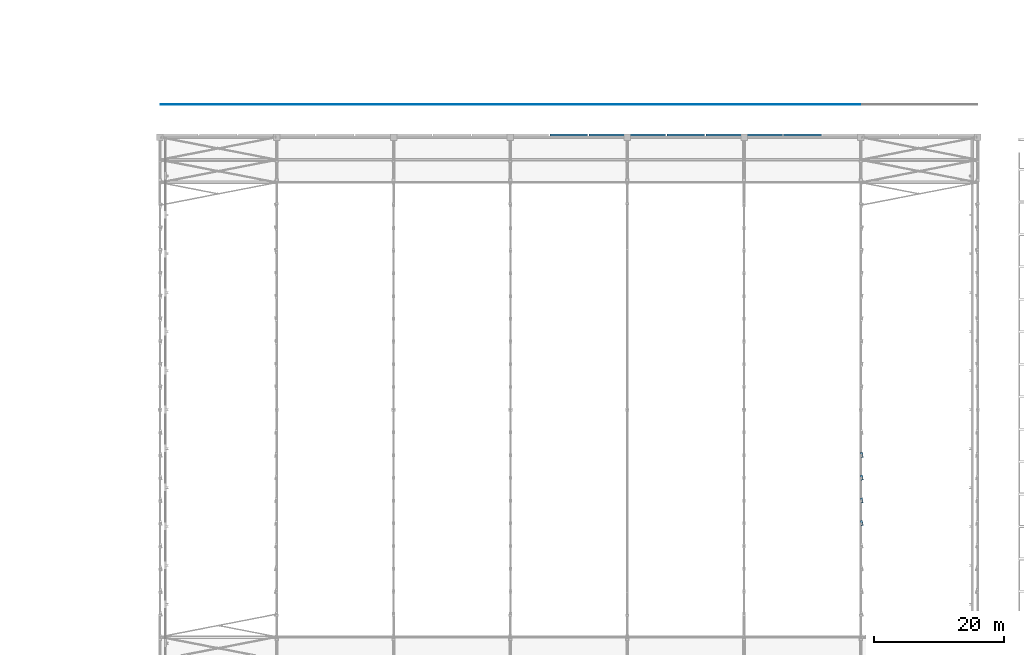
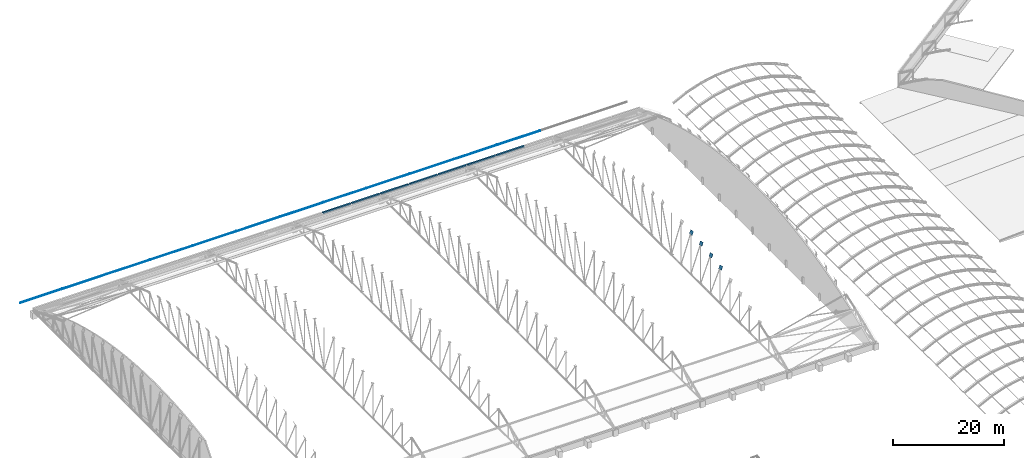
# One storey, part 140 of 196: 23 discrete accessories.
"""IFC4 building model written with IfcOpenShell, lengths in metres."""

import ifcopenshell
import ifcopenshell.guid

model = None  # the IFC model being written
_history = None  # IfcOwnerHistory: only IFC2X3 demands one
_inside = {}  # id of a spatial element -> (the spatial element, [elements in it])
_under = {}  # id of a project, library or spatial element -> (it, [spatial elements below it])
_declared = {}  # id of a project -> (the project, [libraries it declares])
_typed = {}  # id of a type object -> (the type object, [elements of that type])
_made_of = {}  # id of a material, layer set ... -> (it, [elements and type objects made of it])


def new_model(schema):
    """Start an empty IFC model of exactly this schema.

    Asked for "IFC4X3", IfcOpenShell would pick the latest addendum, in which some entities
    have other attributes; the version numbers below select the first issue.
    IFC2X3 requires an IfcOwnerHistory on every rooted entity: one is made here for all.
    """
    global model, _history
    if schema == "IFC4X3":
        model = ifcopenshell.file(schema_version=(4, 3, 0, 0))
    else:
        model = ifcopenshell.file(schema=schema)
    _inside.clear()
    _under.clear()
    _declared.clear()
    _typed.clear()
    _made_of.clear()
    _history = None
    if model.schema == "IFC2X3":
        org = make("IfcOrganization", Name="unknown")
        user = make(
            "IfcPersonAndOrganization",
            ThePerson=make("IfcPerson", FamilyName="unknown"),
            TheOrganization=org,
        )
        app = make(
            "IfcApplication",
            ApplicationDeveloper=org,
            Version="unknown",
            ApplicationFullName="unknown",
            ApplicationIdentifier="unknown",
        )
        _history = make(
            "IfcOwnerHistory",
            OwningUser=user,
            OwningApplication=app,
            ChangeAction="ADDED",
            CreationDate=0,
        )
    return model


def make(cls, **values):
    """One entity of the class cls with the attributes given. An attribute that is None is left unset."""
    return model.create_entity(
        cls, **{name: value for name, value in values.items() if value is not None}
    )


def rooted(cls, **values):
    """An entity with a GlobalId (a new one), such as an element, a storey or a relation."""
    return make(cls, GlobalId=ifcopenshell.guid.new(), OwnerHistory=_history, **values)


def si_unit(unit_type, name, prefix=None):
    """IfcSIUnit, for example si_unit("LENGTHUNIT", "METRE", prefix="MILLI")."""
    return make("IfcSIUnit", UnitType=unit_type, Prefix=prefix, Name=name)


def assignment(units):
    """IfcUnitAssignment: the units of a project."""
    return None if units is None else make("IfcUnitAssignment", Units=units)


def point(xyz):
    """IfcCartesianPoint."""
    return None if xyz is None else make("IfcCartesianPoint", Coordinates=xyz)


def direction(xyz):
    """IfcDirection."""
    return None if xyz is None else make("IfcDirection", DirectionRatios=xyz)


def frame(location, z_axis=None, x_axis=None):
    """IfcAxis2Placement3D, a coordinate frame: its origin and axes. An axis left out is left unset."""
    return make(
        "IfcAxis2Placement3D",
        Location=point(location),
        Axis=direction(z_axis),
        RefDirection=direction(x_axis),
    )


def frame_2d(location, x_axis=None):
    """IfcAxis2Placement2D, a coordinate frame in the plane: its origin and x axis."""
    return make(
        "IfcAxis2Placement2D", Location=point(location), RefDirection=direction(x_axis)
    )


def origin():
    """The frame at (0, 0, 0) with its axes left unset."""
    return frame((0.0, 0.0, 0.0))


def origin_2d():
    """The frame at (0, 0) in the plane with its x axis left unset."""
    return frame_2d((0.0, 0.0))


def place(relative_to, where):
    """IfcLocalPlacement: puts the frame where relative to a parent placement (None: the world)."""
    return make(
        "IfcLocalPlacement", PlacementRelTo=relative_to, RelativePlacement=where
    )


def context(
    kind, dimensions, precision=None, world=None, true_north=None, identifier=None
):
    """IfcGeometricRepresentationContext, for example the 3D "Model" context."""
    return make(
        "IfcGeometricRepresentationContext",
        ContextIdentifier=identifier,
        ContextType=kind,
        CoordinateSpaceDimension=dimensions,
        Precision=precision,
        WorldCoordinateSystem=world,
        TrueNorth=true_north,
    )


def subcontext(parent, identifier, kind, view, scale=None):
    """IfcGeometricRepresentationSubContext, for example "Body" below "Model"."""
    return make(
        "IfcGeometricRepresentationSubContext",
        ContextIdentifier=identifier,
        ContextType=kind,
        ParentContext=parent,
        TargetScale=scale,
        TargetView=view,
    )


def project(units=None, contexts=None):
    """IfcProject with its units and contexts."""
    return rooted(
        "IfcProject",
        Name="project",
        RepresentationContexts=contexts,
        UnitsInContext=assignment(units),
    )


def spatial(cls, under=None, at=None, **own):
    """A site, building, storey or space (cls), placed at a placement, below another one or the project."""
    s = rooted(cls, ObjectPlacement=at, **own)
    if under is not None:
        _under.setdefault(under.id(), (under, []))[1].append(s)
    return s


def polyline(points):
    """IfcPolyline through the points."""
    return make("IfcPolyline", Points=[point(p) for p in points])


def profile(cls, at=None, kind="AREA", **sizes):
    """A parametric profile (cls). Its sizes go by their IFC names, for example OverallWidth=200.0."""
    return make(cls, ProfileType=kind, Position=at, **sizes)


def rectangle(**sizes):
    """IfcRectangleProfileDef."""
    return profile("IfcRectangleProfileDef", **sizes)


def outline(outer, holes=None, kind="AREA"):
    """IfcArbitraryClosedProfileDef: a profile drawn as a closed curve; with holes, ...WithVoids."""
    if holes is None:
        return make("IfcArbitraryClosedProfileDef", ProfileType=kind, OuterCurve=outer)
    return make(
        "IfcArbitraryProfileDefWithVoids",
        ProfileType=kind,
        OuterCurve=outer,
        InnerCurves=holes,
    )


def extrude(swept, where, along, depth):
    """IfcExtrudedAreaSolid: the profile swept, set in the frame where, extruded along a direction by depth."""
    return make(
        "IfcExtrudedAreaSolid",
        SweptArea=swept,
        Position=where,
        ExtrudedDirection=direction(along),
        Depth=depth,
    )


def shape(context_of_items, identifier, shape_type, items):
    """IfcShapeRepresentation: the items that make up one representation, for example the "Body"."""
    return make(
        "IfcShapeRepresentation",
        ContextOfItems=context_of_items,
        RepresentationIdentifier=identifier,
        RepresentationType=shape_type,
        Items=items,
    )


def material(Name=None, Category=None):
    """IfcMaterial."""
    return make("IfcMaterial", Name=Name, Category=Category)


def layer(
    of_material, thickness, ventilated=None, Name=None, Category=None, Priority=None
):
    """IfcMaterialLayer: one layer of a wall or slab, of a material (None: an air gap)."""
    return make(
        "IfcMaterialLayer",
        Material=of_material,
        LayerThickness=thickness,
        IsVentilated=ventilated,
        Name=Name,
        Category=Category,
        Priority=Priority,
    )


def layer_set(layers, Name=None):
    """IfcMaterialLayerSet."""
    return make("IfcMaterialLayerSet", MaterialLayers=layers, LayerSetName=Name)


def made_of(thing, what):
    """Note that an element or type object is made of a material, layer set ...; save() writes the relation."""
    if what is not None:
        _made_of.setdefault(what.id(), (what, []))[1].append(thing)
    return thing


def type_object(cls, material=None, **own):
    """A type object (cls), such as IfcWallType, which elements share."""
    return made_of(rooted(cls, **own), material)


def element(
    cls,
    number,
    at=None,
    inside=None,
    cuts=None,
    type_object=None,
    material=None,
    context=None,
    identifier="Body",
    shape_type=None,
    held_by="IfcProductDefinitionShape",
    body=None,
    shapes=None,
    **own,
):
    """One element of the class cls, such as IfcWall. Its Tag is "e" and its number.

    at: its placement. inside: the storey or other place that contains it. cuts: it is an
    opening in that element (IfcRelVoidsElement). A single representation is given by context,
    identifier, shape_type and body (its items); several are given by shapes. held_by: the class
    of the entity that holds the representations. save() writes the other relations.
    """
    e = rooted(cls, Tag="e%d" % number, ObjectPlacement=at, **own)
    if body is not None:
        shapes = [shape(context, identifier, shape_type, body)]
    if shapes is not None:
        e.Representation = make(held_by, Representations=shapes)
    if inside is not None:
        _inside.setdefault(inside.id(), (inside, []))[1].append(e)
    if cuts is not None:
        rooted(
            "IfcRelVoidsElement", RelatingBuildingElement=cuts, RelatedOpeningElement=e
        )
    if type_object is not None:
        _typed.setdefault(type_object.id(), (type_object, []))[1].append(e)
    return made_of(e, material)


def aggregate(whole, parts):
    """IfcRelAggregates: a whole, such as a stair, and the parts it consists of."""
    return rooted("IfcRelAggregates", RelatingObject=whole, RelatedObjects=parts)


def save(model, path):
    """Write the relations noted so far, then the file.

    IfcRelAggregates (storeys below a building ...), IfcRelContainedInSpatialStructure (elements
    in a storey), IfcRelDefinesByType, IfcRelAssociatesMaterial and IfcRelDeclares: one each for
    every whole, place, type object, material and project.
    """
    for whole, parts in _under.values():
        aggregate(whole, parts)
    for where, things in _inside.values():
        rooted(
            "IfcRelContainedInSpatialStructure",
            RelatedElements=things,
            RelatingStructure=where,
        )
    for kind, things in _typed.values():
        rooted("IfcRelDefinesByType", RelatedObjects=things, RelatingType=kind)
    for what, things in _made_of.values():
        rooted("IfcRelAssociatesMaterial", RelatedObjects=things, RelatingMaterial=what)
    for by, libraries in _declared.values():
        rooted("IfcRelDeclares", RelatingContext=by, RelatedDefinitions=libraries)
    model.write(path)


model = new_model("IFC4")

# Units and contexts
model_context = context("Model", 3, precision=1e-05, world=origin(), true_north=direction((0.0, 1.0)))
body_context = subcontext(model_context, "Body", "Model", "MODEL_VIEW")
ifc_project = project(units=[si_unit("LENGTHUNIT", "METRE"), si_unit("AREAUNIT", "SQUARE_METRE"), si_unit("VOLUMEUNIT", "CUBIC_METRE"), si_unit("PLANEANGLEUNIT", "RADIAN"), si_unit("MASSUNIT", "GRAM", prefix="KILO")], contexts=[model_context])

# Site, building, storey
site_placement = place(None, origin())
site = spatial("IfcSite", under=ifc_project, at=site_placement, CompositionType="ELEMENT")
building_placement = place(site_placement, origin())
building = spatial("IfcBuilding", under=site, at=building_placement, Name="Okhra Congress Centre", CompositionType="ELEMENT")
storey_placement = place(building_placement, frame((0.0, 0.0, 12.0)))
storey = spatial("IfcBuildingStorey", under=building, at=storey_placement, Name="L02", CompositionType="ELEMENT", Elevation=12.0)

# Discrete accessories
ifc_material_1 = material(Name="Steel S355J2", Category="steel")
ifc_layer = layer(ifc_material_1, 0.02001953125)
ifc_layer_set = layer_set([ifc_layer], Name="Brace end connection plate 20 mm S355")
discrete_accessory_type_1 = type_object("IfcDiscreteAccessoryType", Name="Brace end connection plate 20 mm S355", PredefinedType="BRACKET", material=ifc_layer_set)
discrete_accessory_1_placement = place(storey_placement, frame((136.150390625, 156.531494140625, 9.16259765625), z_axis=(-0.891172137936, -0.18311756259, 0.415066475203), x_axis=(0.20127429835, -0.979534918634, 0.0)))
element("IfcDiscreteAccessory", 1, at=discrete_accessory_1_placement, inside=storey, type_object=discrete_accessory_type_1, Name="Brace end connection plate", PredefinedType="BRACKET", context=body_context, shape_type="SweptSolid", body=[
    extrude(rectangle(XDim=0.7919921875, YDim=0.7919921875, at=origin_2d()), origin(), (0.0, 0.0, 1.0), 0.02001953125),
])
for number, where, z_axis, x_axis, name in (
    (2, (136.150634765625, 160.02978515625, 9.728515625), (-0.89310418461, -0.171280254583, 0.415966332558), (0.188348382319, -0.982102279235, 0.0), "Brace end connection plate"),
    (3, (136.150634765625, 163.528564453125, 10.166259765625), (-0.89310418461, -0.171280254583, 0.415966332558), (0.188348382319, -0.982102279235, 0.0), "Brace end connection plate"),
):
    element("IfcDiscreteAccessory", number, at=place(storey_placement, frame(where, z_axis=z_axis, x_axis=x_axis)), inside=storey, type_object=discrete_accessory_type_1, Name=name, PredefinedType="BRACKET", context=body_context, shape_type="SweptSolid", body=[
        extrude(rectangle(XDim=0.79296875, YDim=0.79296875, at=origin_2d()), origin(), (0.0, 0.0, 1.0), 0.02001953125),
    ])
discrete_accessory_2_placement = place(storey_placement, frame((136.15087890625, 167.02783203125, 10.4775390625), z_axis=(-0.890310108805, -0.158548375541, 0.426861011071), x_axis=(0.175323844201, -0.984510817439, 0.0)))
element("IfcDiscreteAccessory", 4, at=discrete_accessory_2_placement, inside=storey, type_object=discrete_accessory_type_1, Name="Brace end connection plate", PredefinedType="BRACKET", context=body_context, shape_type="SweptSolid", body=[
    extrude(rectangle(XDim=0.794921875, YDim=0.794921875, at=origin_2d()), origin(), (0.0, 0.0, 1.0), 0.02001953125),
])
ifc_material_2 = material(Name="Stainless steel box gutter with self-regulating heating cable", Category="steel")
discrete_accessory_type_2 = type_object("IfcDiscreteAccessoryType", Name="Heated box gutter 350x300", PredefinedType="USERDEFINED", material=ifc_material_2)
for number, where, z_axis, x_axis, name in (
    (5, (91.0, 216.30810546875, 1.59228515625), (0.0, 0.0, 1.0), (1.0, 0.0, 0.0), "Heated box gutter"),
    (6, (97.0, 216.30810546875, 1.59228515625), (0.0, 0.0, 1.0), (1.0, 0.0, 0.0), "Heated box gutter"),
    (7, (103.0, 216.30810546875, 1.59228515625), (0.0, 0.0, 1.0), (1.0, 0.0, 0.0), "Heated box gutter"),
    (8, (109.0, 216.30810546875, 1.59228515625), (0.0, 0.0, 1.0), (1.0, 0.0, 0.0), "Heated box gutter"),
    (9, (115.0, 216.30810546875, 1.59228515625), (0.0, 0.0, 1.0), (1.0, 0.0, 0.0), "Heated box gutter"),
    (10, (121.0, 216.30810546875, 1.59228515625), (0.0, 0.0, 1.0), (1.0, 0.0, 0.0), "Heated box gutter"),
    (11, (127.0, 216.30810546875, 1.59228515625), (0.0, 0.0, 1.0), (1.0, 0.0, 0.0), "Heated box gutter"),
):
    element("IfcDiscreteAccessory", number, at=place(storey_placement, frame(where, z_axis=z_axis, x_axis=x_axis)), inside=storey, type_object=discrete_accessory_type_2, Name=name, ObjectType="HEATED GUTTER", PredefinedType="USERDEFINED", context=body_context, shape_type="SweptSolid", body=[
        extrude(rectangle(XDim=5.800048828125, YDim=0.35009765625, at=origin_2d()), origin(), (0.0, 0.0, 1.0), 0.300048828125),
    ])
ifc_material_3 = material(Name="Stainless steel snow retention bar clamped to the roof seams", Category="steel")
discrete_accessory_type_3 = type_object("IfcDiscreteAccessoryType", Name="Snow guard rail 50x120", PredefinedType="USERDEFINED", material=ifc_material_3)
for number, where, z_axis, x_axis, name in (
    (12, (28.10009765625, 221.0, 0.2080078125), (0.0, 0.048722553713, 0.998812351125), (1.0, 0.0, 0.0), "Snow guard rail"),
    (13, (37.10009765625, 221.0, 0.2080078125), (0.0, 0.048722553713, 0.998812351125), (1.0, 0.0, 0.0), "Snow guard rail"),
    (14, (46.10009765625, 221.0, 0.2080078125), (0.0, 0.048722553713, 0.998812351125), (1.0, 0.0, 0.0), "Snow guard rail"),
    (15, (55.10009765625, 221.0, 0.2080078125), (0.0, 0.048722553713, 0.998812351125), (1.0, 0.0, 0.0), "Snow guard rail"),
    (16, (64.10009765625, 221.0, 0.2080078125), (0.0, 0.048722553713, 0.998812351125), (1.0, 0.0, 0.0), "Snow guard rail"),
    (17, (73.10009765625, 221.0, 0.2080078125), (0.0, 0.048722553713, 0.998812351125), (1.0, 0.0, 0.0), "Snow guard rail"),
    (18, (82.10009765625, 221.0, 0.2080078125), (0.0, 0.048722553713, 0.998812351125), (1.0, 0.0, 0.0), "Snow guard rail"),
    (19, (91.10009765625, 221.0, 0.2080078125), (0.0, 0.048722553713, 0.998812351125), (1.0, 0.0, 0.0), "Snow guard rail"),
    (20, (100.10009765625, 221.0, 0.2080078125), (0.0, 0.048722553713, 0.998812351125), (1.0, 0.0, 0.0), "Snow guard rail"),
    (21, (109.10009765625, 221.0, 0.2080078125), (0.0, 0.048722553713, 0.998812351125), (1.0, 0.0, 0.0), "Snow guard rail"),
    (22, (118.10009765625, 221.0, 0.2080078125), (0.0, 0.048722553713, 0.998812351125), (1.0, 0.0, 0.0), "Snow guard rail"),
    (23, (127.10009765625, 221.0, 0.2080078125), (0.0, 0.048722553713, 0.998812351125), (1.0, 0.0, 0.0), "Snow guard rail"),
):
    element("IfcDiscreteAccessory", number, at=place(storey_placement, frame(where, z_axis=z_axis, x_axis=x_axis)), inside=storey, type_object=discrete_accessory_type_3, Name=name, ObjectType="SNOW GUARD", PredefinedType="USERDEFINED", context=body_context, shape_type="SweptSolid", body=[
        extrude(outline(polyline([(0.0, 0.0), (8.7998046875, 0.0), (8.7998046875, 0.05010833923772898), (0.0, 0.05010833923772898), (0.0, 0.0)])), origin(), (0.0, 0.0, -1.0), 0.1201171875),
    ])

save(model, "model.ifc")
